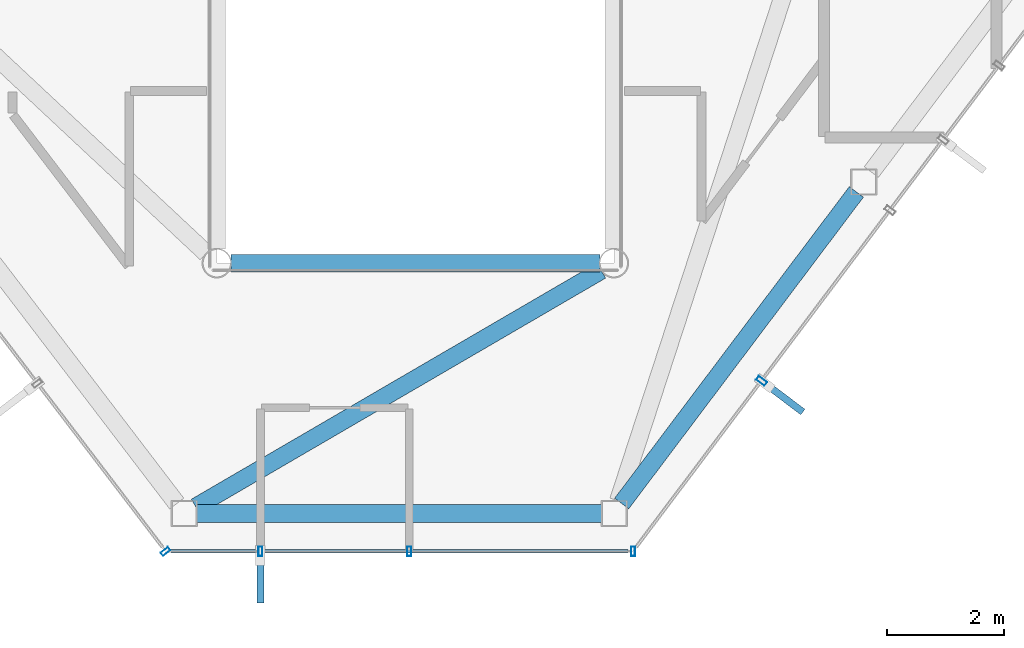
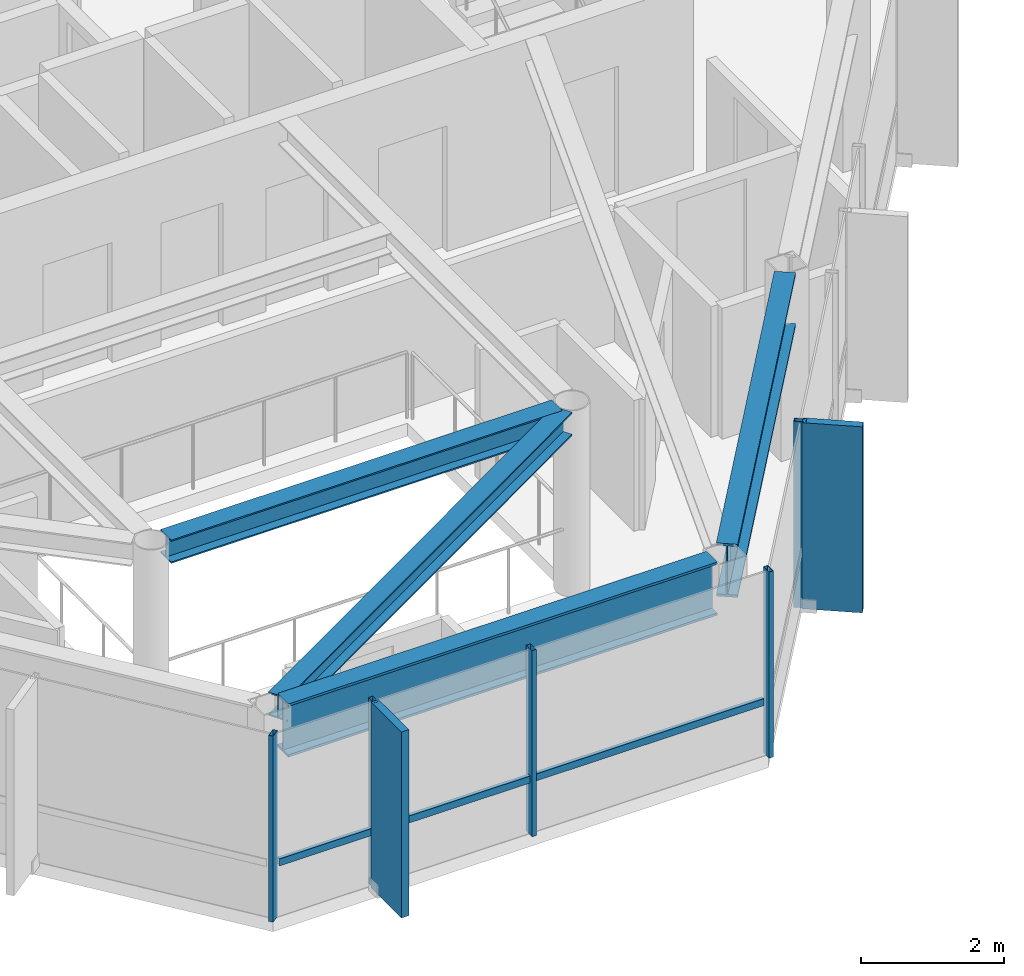
# One storey, part 7 of 22: 8 members, 4 beams, 3 elements without a shape of their own.
"""IFC4 building model written with IfcOpenShell, lengths in metres."""

from ifc_helpers import new_model, si_unit, direction, frame, origin, origin_2d, place, context, subcontext, project, spatial, rectangle, hollow_rectangle, i_section, extrude, material, layer, layer_set, material_profile, profile_set, type_object, element, aggregate, save


model = new_model("IFC4")

# Units and contexts
model_context = context("Model", 3, precision=1e-05, world=origin(), true_north=direction((0.0, 1.0)))
body_context = subcontext(model_context, "Body", "Model", "MODEL_VIEW")
ifc_project = project(units=[si_unit("LENGTHUNIT", "METRE"), si_unit("AREAUNIT", "SQUARE_METRE"), si_unit("VOLUMEUNIT", "CUBIC_METRE"), si_unit("PLANEANGLEUNIT", "RADIAN"), si_unit("MASSUNIT", "GRAM", prefix="KILO")], contexts=[model_context])

# Site, building, storey
site_placement = place(None, origin())
site = spatial("IfcSite", under=ifc_project, at=site_placement, CompositionType="ELEMENT")
building_placement = place(site_placement, origin())
building = spatial("IfcBuilding", under=site, at=building_placement, Name="Zarrinselat Tower", CompositionType="ELEMENT")
storey_placement = place(building_placement, frame((0.0, 0.0, 289.0)))
storey = spatial("IfcBuildingStorey", under=building, at=storey_placement, Name="L74", CompositionType="ELEMENT", Elevation=289.0)

# Beams
ifc_material_1 = material(Name="Steel S355J2", Category="steel")
ifc_material_profile_1 = material_profile(ifc_material_1, i_section(OverallWidth=0.300048828125, OverallDepth=0.39990234375, WebThickness=0.013427734375, FlangeThickness=0.02392578125, at=origin_2d()), Name="HEB 400")
ifc_profile_set_1 = profile_set([ifc_material_profile_1], Name="Steel S355J2")
beam_type_1 = type_object("IfcBeamType", Name="BM-HEB400", PredefinedType="BEAM", material=ifc_profile_set_1)
beam_1_placement = place(storey_placement, frame((35.239990234375, 25.199951171875, 2.97998046875), z_axis=(1.0, 0.0, 0.0), x_axis=(0.0, 1.0, 0.0)))
element("IfcBeam", 1, at=beam_1_placement, inside=storey, type_object=beam_type_1, Name="L74 Atrium Edge Beam S", PredefinedType="BEAM", context=body_context, shape_type="SweptSolid", body=[
    extrude(i_section(OverallWidth=0.300048828125, OverallDepth=0.39990234375, WebThickness=0.013427734375, FlangeThickness=0.02392578125, at=origin_2d()), origin(), (0.0, 0.0, 1.0), 6.320068359375),
])
beam_2_placement = place(storey_placement, frame((34.63916015625, 21.028564453125, 2.97998046875), z_axis=(0.864076215009, 0.503360998345, 0.0), x_axis=(-0.503360998345, 0.864076215009, 0.0)))
element("IfcBeam", 2, at=beam_2_placement, inside=storey, type_object=beam_type_1, Name="L74 Radial Primary Girder RG10", PredefinedType="BEAM", context=body_context, shape_type="SweptSolid", body=[
    extrude(i_section(OverallWidth=0.300048828125, OverallDepth=0.39990234375, WebThickness=0.013427734375, FlangeThickness=0.02392578125, at=origin_2d()), origin(), (0.0, 0.0, 1.0), 8.037353515625),
])
ifc_material_2 = material(Name="Steel S460M", Category="steel")
ifc_material_profile_2 = material_profile(ifc_material_2, i_section(OverallWidth=0.302001953125, OverallDepth=0.909912109375, WebThickness=0.02099609375, FlangeThickness=0.0400390625, at=origin_2d()), Name="HEM 900")
ifc_profile_set_2 = profile_set([ifc_material_profile_2], Name="Steel S460M")
beam_type_2 = type_object("IfcBeamType", Name="BM-HEM900", PredefinedType="BEAM", material=ifc_profile_set_2)
beam_3_placement = place(storey_placement, frame((34.656005859375, 20.914306640625, 2.72509765625), z_axis=(1.0, 0.0, 0.0), x_axis=(0.0, 1.0, 0.0)))
element("IfcBeam", 3, at=beam_3_placement, inside=storey, type_object=beam_type_2, Name="L74 Perimeter Spandrel Girder SP10", PredefinedType="BEAM", context=body_context, shape_type="SweptSolid", body=[
    extrude(i_section(OverallWidth=0.302001953125, OverallDepth=0.909912109375, WebThickness=0.02099609375, FlangeThickness=0.0400390625, at=origin_2d()), origin(), (0.0, 0.0, 1.0), 6.9365234375),
])
beam_4_placement = place(storey_placement, frame((41.933837890625, 21.084228515625, 2.72509765625), z_axis=(0.601641502022, 0.798766238048, 0.0), x_axis=(-0.798766238048, 0.601641502022, 0.0)))
element("IfcBeam", 4, at=beam_4_placement, inside=storey, type_object=beam_type_2, Name="L74 Perimeter Spandrel Girder SP11", PredefinedType="BEAM", context=body_context, shape_type="SweptSolid", body=[
    extrude(i_section(OverallWidth=0.302001953125, OverallDepth=0.909912109375, WebThickness=0.02099609375, FlangeThickness=0.0400390625, at=origin_2d()), origin(), (0.0, 0.0, 1.0), 6.681640625),
])

# Curtain wall, member
ifc_material_3 = material(Name="Extruded Aluminium Alloy EN AW-6063 T6", Category="aluminium")
ifc_layer_1 = layer(ifc_material_3, 0.199951171875)
ifc_layer_set_1 = layer_set([ifc_layer_1], Name="Extruded Aluminium Alloy EN AW-6063 T6")
curtain_wall_type_1 = type_object("IfcCurtainWallType", Name="CWS-BLADE", PredefinedType="NOTDEFINED", material=ifc_layer_set_1)
curtain_wall_1_placement = place(storey_placement, origin())
curtain_wall_1 = element("IfcCurtainWall", 5, at=curtain_wall_1_placement, inside=storey, type_object=curtain_wall_type_1, Name="L74 Unitised Curtain Wall CW-L74-E05", PredefinedType="NOTDEFINED")
ifc_material_4 = material(Name="Extruded Aluminium Alloy EN AW-6063 T6", Category="aluminium")
ifc_material_profile_3 = material_profile(ifc_material_4, hollow_rectangle(XDim=0.080078125, YDim=0.179931640625, WallThickness=0.0048828125, at=origin_2d()), Name="RHS 180x80x5")
ifc_profile_set_3 = profile_set([ifc_material_profile_3], Name="Extruded Aluminium Alloy EN AW-6063 T6")
member_type_1 = type_object("IfcMemberType", Name="MEM-CW-MUL", PredefinedType="MULLION", material=ifc_profile_set_3)
member_1_placement = place(storey_placement, frame((44.32958984375, 23.184326171875, 0.0), z_axis=(0.0, 0.0, 1.0), x_axis=(0.601672649155, 0.798742776655, 0.0)))
member_1 = element("IfcMember", 6, at=member_1_placement, type_object=member_type_1, Name="CW-L74-E05 Mullion 1", PredefinedType="MULLION", context=body_context, shape_type="SweptSolid", body=[
    extrude(hollow_rectangle(XDim=0.080078125, YDim=0.179931640625, WallThickness=0.0048828125, at=origin_2d()), origin(), (0.0, 0.0, 1.0), 3.179931640625),
])

ifc_material_5 = material(Name="Extruded Aluminium Alloy EN AW-6063 T6", Category="aluminium")
ifc_layer_2 = layer(ifc_material_5, 0.169921875)
ifc_layer_set_2 = layer_set([ifc_layer_2], Name="Extruded Aluminium Alloy EN AW-6063 T6")
curtain_wall_type_2 = type_object("IfcCurtainWallType", Name="CWS-RES", PredefinedType="NOTDEFINED", material=ifc_layer_set_2)
curtain_wall_2_placement = place(storey_placement, origin())
curtain_wall_2 = element("IfcCurtainWall", 7, at=curtain_wall_2_placement, inside=storey, type_object=curtain_wall_type_2, Name="L74 Unitised Curtain Wall CW-L74-E03", PredefinedType="NOTDEFINED")
ifc_material_6 = material(Name="Extruded Aluminium Alloy EN AW-6063 T6", Category="aluminium")
ifc_material_profile_4 = material_profile(ifc_material_6, hollow_rectangle(XDim=0.070068359375, YDim=0.159912109375, WallThickness=0.00390625, at=origin_2d()), Name="RHS 160x70x4")
ifc_profile_set_4 = profile_set([ifc_material_profile_4], Name="Extruded Aluminium Alloy EN AW-6063 T6")
member_type_2 = type_object("IfcMemberType", Name="MEM-CW-MUL2", PredefinedType="MULLION", material=ifc_profile_set_4)
member_2_placement = place(storey_placement, frame((34.12158203125, 20.26416015625, 0.0), z_axis=(0.0, 0.0, 1.0), x_axis=(0.606801746242, -0.794853219631, 0.0)))
member_2 = element("IfcMember", 8, at=member_2_placement, type_object=member_type_2, Name="CW-L74-E03 Mullion 10", PredefinedType="MULLION", context=body_context, shape_type="SweptSolid", body=[
    extrude(hollow_rectangle(XDim=0.070068359375, YDim=0.159912109375, WallThickness=0.00390625, at=origin_2d()), origin(), (0.0, 0.0, 1.0), 3.179931640625),
])
aggregate(curtain_wall_2, [member_2])

# Curtain wall, members
curtain_wall_3_placement = place(storey_placement, origin())
curtain_wall_3 = element("IfcCurtainWall", 9, at=curtain_wall_3_placement, inside=storey, type_object=curtain_wall_type_2, Name="L74 Unitised Curtain Wall CW-L74-E04", PredefinedType="NOTDEFINED")
member_3_placement = place(storey_placement, frame((35.74609375, 20.26416015625, 0.0), z_axis=(0.0, 0.0, 1.0), x_axis=(1.0, 0.0, 0.0)))
member_3 = element("IfcMember", 10, at=member_3_placement, type_object=member_type_2, Name="CW-L74-E04 Mullion 1", PredefinedType="MULLION", context=body_context, shape_type="SweptSolid", body=[
    extrude(hollow_rectangle(XDim=0.070068359375, YDim=0.159912109375, WallThickness=0.00390625, at=origin_2d()), origin(), (0.0, 0.0, 1.0), 3.179931640625),
])
member_4_placement = place(storey_placement, frame((38.296142578125, 20.26416015625, 0.0), z_axis=(0.0, 0.0, 1.0), x_axis=(1.0, 0.0, 0.0)))
member_4 = element("IfcMember", 11, at=member_4_placement, type_object=member_type_2, Name="CW-L74-E04 Mullion 2", PredefinedType="MULLION", context=body_context, shape_type="SweptSolid", body=[
    extrude(hollow_rectangle(XDim=0.070068359375, YDim=0.159912109375, WallThickness=0.00390625, at=origin_2d()), origin(), (0.0, 0.0, 1.0), 3.179931640625),
])
member_5_placement = place(storey_placement, frame((42.1298828125, 20.26416015625, 0.0), z_axis=(0.0, 0.0, 1.0), x_axis=(1.0, 0.0, 0.0)))
member_5 = element("IfcMember", 12, at=member_5_placement, type_object=member_type_2, Name="CW-L74-E04 Mullion 3", PredefinedType="MULLION", context=body_context, shape_type="SweptSolid", body=[
    extrude(hollow_rectangle(XDim=0.070068359375, YDim=0.159912109375, WallThickness=0.00390625, at=origin_2d()), origin(), (0.0, 0.0, 1.0), 3.179931640625),
])
ifc_material_7 = material(Name="Extruded Aluminium Alloy EN AW-6063 T6", Category="aluminium")
ifc_material_profile_5 = material_profile(ifc_material_7, hollow_rectangle(XDim=0.06005859375, YDim=0.1201171875, WallThickness=0.00390625, at=origin_2d()), Name="RHS 120x60x4")
ifc_profile_set_5 = profile_set([ifc_material_profile_5], Name="Extruded Aluminium Alloy EN AW-6063 T6")
member_type_3 = type_object("IfcMemberType", Name="MEM-CW-TRN2", PredefinedType="USERDEFINED", material=ifc_profile_set_5)
member_6_placement = place(storey_placement, frame((34.211669921875, 20.26416015625, 0.949951171875), z_axis=(1.0, 0.0, 0.0), x_axis=(0.0, 1.0, 0.0)))
member_6 = element("IfcMember", 13, at=member_6_placement, type_object=member_type_3, Name="CW-L74-E04 Transom 1", ObjectType="TRANSOM", PredefinedType="USERDEFINED", context=body_context, shape_type="SweptSolid", body=[
    extrude(hollow_rectangle(XDim=0.06005859375, YDim=0.1201171875, WallThickness=0.00390625, at=origin_2d()), origin(), (0.0, 0.0, 1.0), 7.828125),
])
ifc_material_8 = material(Name="Honed Cream Travertine Stone", Category="masonry")
ifc_material_profile_6 = material_profile(ifc_material_8, rectangle(XDim=0.1201171875, YDim=0.85009765625, at=origin_2d()), Name="FIN 850x120")
ifc_profile_set_6 = profile_set([ifc_material_profile_6], Name="Honed Cream Travertine Stone")
member_type_4 = type_object("IfcMemberType", Name="MEM-STONE-FIN", PredefinedType="USERDEFINED", material=ifc_profile_set_6)
member_7_placement = place(storey_placement, frame((35.74609375, 19.80419921875, 0.0), z_axis=(0.0, 0.0, 1.0), x_axis=(-1.0, 0.0, 0.0)))
member_7 = element("IfcMember", 14, at=member_7_placement, type_object=member_type_4, Name="L74 Stone Shading Fin CW-L74-E04-01", ObjectType="FIN", PredefinedType="USERDEFINED", context=body_context, shape_type="SweptSolid", body=[
    extrude(rectangle(XDim=0.1201171875, YDim=0.85009765625, at=origin_2d()), origin(), (0.0, 0.0, 1.0), 3.179931640625),
])
aggregate(curtain_wall_3, [member_3, member_7, member_4, member_5, member_6])

# Member
member_8_placement = place(storey_placement, frame((44.697021484375, 22.90771484375, 0.0), z_axis=(0.0, 0.0, 1.0), x_axis=(-0.601672649155, -0.798742776655, 0.0)))
member_8 = element("IfcMember", 15, at=member_8_placement, type_object=member_type_4, Name="L74 Stone Shading Fin CW-L74-E05-01", ObjectType="FIN", PredefinedType="USERDEFINED", context=body_context, shape_type="SweptSolid", body=[
    extrude(rectangle(XDim=0.1201171875, YDim=0.85009765625, at=origin_2d()), origin(), (0.0, 0.0, 1.0), 3.179931640625),
])

aggregate(curtain_wall_1, [member_1, member_8])

save(model, "model.ifc")
